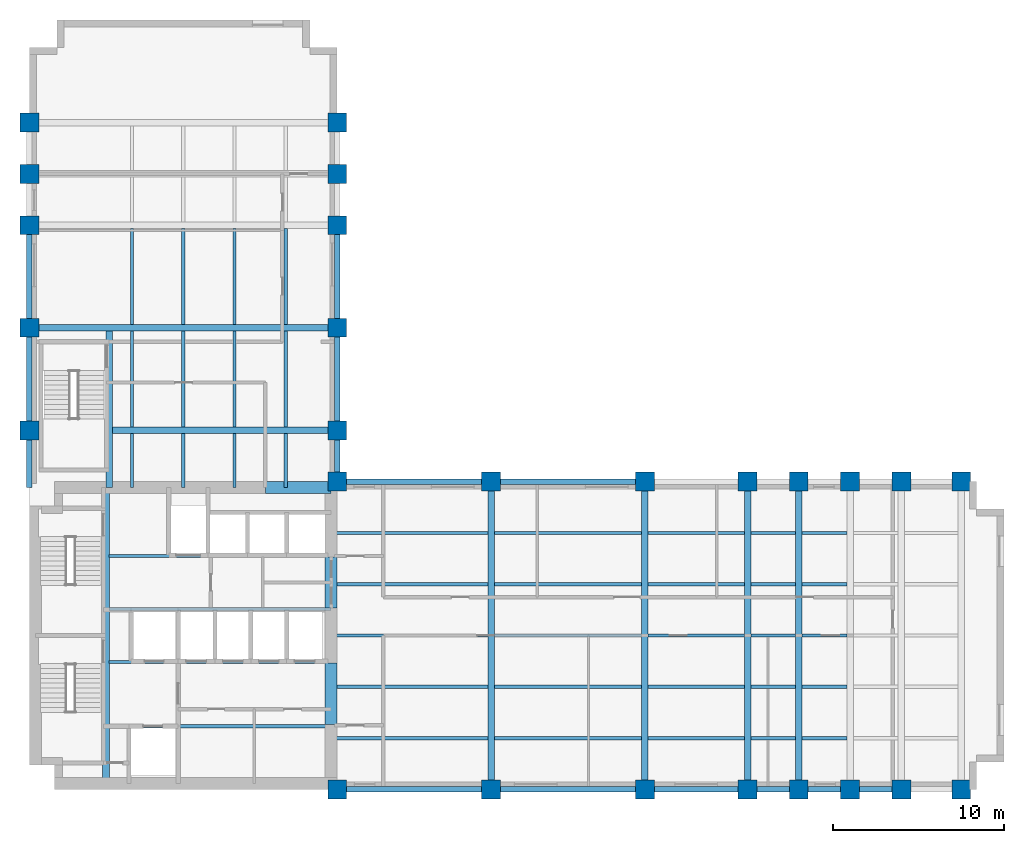
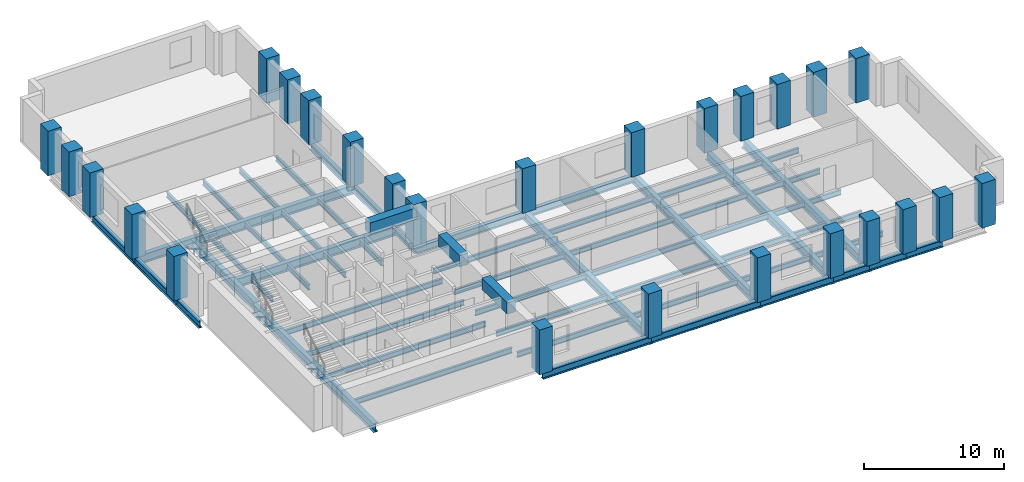
# One storey, part 1 of 7: 66 beams, 26 columns.
"""IFC4 building model written with IfcOpenShell, lengths in metres."""

import ifcopenshell
import ifcopenshell.guid

model = None  # the IFC model being written
_history = None  # IfcOwnerHistory: only IFC2X3 demands one
_inside = {}  # id of a spatial element -> (the spatial element, [elements in it])
_under = {}  # id of a project, library or spatial element -> (it, [spatial elements below it])
_declared = {}  # id of a project -> (the project, [libraries it declares])
_typed = {}  # id of a type object -> (the type object, [elements of that type])
_made_of = {}  # id of a material, layer set ... -> (it, [elements and type objects made of it])


def new_model(schema):
    """Start an empty IFC model of exactly this schema.

    Asked for "IFC4X3", IfcOpenShell would pick the latest addendum, in which some entities
    have other attributes; the version numbers below select the first issue.
    IFC2X3 requires an IfcOwnerHistory on every rooted entity: one is made here for all.
    """
    global model, _history
    if schema == "IFC4X3":
        model = ifcopenshell.file(schema_version=(4, 3, 0, 0))
    else:
        model = ifcopenshell.file(schema=schema)
    _inside.clear()
    _under.clear()
    _declared.clear()
    _typed.clear()
    _made_of.clear()
    _history = None
    if model.schema == "IFC2X3":
        org = make("IfcOrganization", Name="unknown")
        user = make(
            "IfcPersonAndOrganization",
            ThePerson=make("IfcPerson", FamilyName="unknown"),
            TheOrganization=org,
        )
        app = make(
            "IfcApplication",
            ApplicationDeveloper=org,
            Version="unknown",
            ApplicationFullName="unknown",
            ApplicationIdentifier="unknown",
        )
        _history = make(
            "IfcOwnerHistory",
            OwningUser=user,
            OwningApplication=app,
            ChangeAction="ADDED",
            CreationDate=0,
        )
    return model


def make(cls, **values):
    """One entity of the class cls with the attributes given. An attribute that is None is left unset."""
    return model.create_entity(
        cls, **{name: value for name, value in values.items() if value is not None}
    )


def rooted(cls, **values):
    """An entity with a GlobalId (a new one), such as an element, a storey or a relation."""
    return make(cls, GlobalId=ifcopenshell.guid.new(), OwnerHistory=_history, **values)


def si_unit(unit_type, name, prefix=None):
    """IfcSIUnit, for example si_unit("LENGTHUNIT", "METRE", prefix="MILLI")."""
    return make("IfcSIUnit", UnitType=unit_type, Prefix=prefix, Name=name)


def assignment(units):
    """IfcUnitAssignment: the units of a project."""
    return None if units is None else make("IfcUnitAssignment", Units=units)


def point(xyz):
    """IfcCartesianPoint."""
    return None if xyz is None else make("IfcCartesianPoint", Coordinates=xyz)


def direction(xyz):
    """IfcDirection."""
    return None if xyz is None else make("IfcDirection", DirectionRatios=xyz)


def frame(location, z_axis=None, x_axis=None):
    """IfcAxis2Placement3D, a coordinate frame: its origin and axes. An axis left out is left unset."""
    return make(
        "IfcAxis2Placement3D",
        Location=point(location),
        Axis=direction(z_axis),
        RefDirection=direction(x_axis),
    )


def frame_2d(location, x_axis=None):
    """IfcAxis2Placement2D, a coordinate frame in the plane: its origin and x axis."""
    return make(
        "IfcAxis2Placement2D", Location=point(location), RefDirection=direction(x_axis)
    )


def origin():
    """The frame at (0, 0, 0) with its axes left unset."""
    return frame((0.0, 0.0, 0.0))


def origin_2d():
    """The frame at (0, 0) in the plane with its x axis left unset."""
    return frame_2d((0.0, 0.0))


def place(relative_to, where):
    """IfcLocalPlacement: puts the frame where relative to a parent placement (None: the world)."""
    return make(
        "IfcLocalPlacement", PlacementRelTo=relative_to, RelativePlacement=where
    )


def context(
    kind, dimensions, precision=None, world=None, true_north=None, identifier=None
):
    """IfcGeometricRepresentationContext, for example the 3D "Model" context."""
    return make(
        "IfcGeometricRepresentationContext",
        ContextIdentifier=identifier,
        ContextType=kind,
        CoordinateSpaceDimension=dimensions,
        Precision=precision,
        WorldCoordinateSystem=world,
        TrueNorth=true_north,
    )


def subcontext(parent, identifier, kind, view, scale=None):
    """IfcGeometricRepresentationSubContext, for example "Body" below "Model"."""
    return make(
        "IfcGeometricRepresentationSubContext",
        ContextIdentifier=identifier,
        ContextType=kind,
        ParentContext=parent,
        TargetScale=scale,
        TargetView=view,
    )


def project(units=None, contexts=None):
    """IfcProject with its units and contexts."""
    return rooted(
        "IfcProject",
        Name="project",
        RepresentationContexts=contexts,
        UnitsInContext=assignment(units),
    )


def spatial(cls, under=None, at=None, **own):
    """A site, building, storey or space (cls), placed at a placement, below another one or the project."""
    s = rooted(cls, ObjectPlacement=at, **own)
    if under is not None:
        _under.setdefault(under.id(), (under, []))[1].append(s)
    return s


def profile(cls, at=None, kind="AREA", **sizes):
    """A parametric profile (cls). Its sizes go by their IFC names, for example OverallWidth=200.0."""
    return make(cls, ProfileType=kind, Position=at, **sizes)


def rectangle(**sizes):
    """IfcRectangleProfileDef."""
    return profile("IfcRectangleProfileDef", **sizes)


def i_section(**sizes):
    """IfcIShapeProfileDef."""
    return profile("IfcIShapeProfileDef", **sizes)


def extrude(swept, where, along, depth):
    """IfcExtrudedAreaSolid: the profile swept, set in the frame where, extruded along a direction by depth."""
    return make(
        "IfcExtrudedAreaSolid",
        SweptArea=swept,
        Position=where,
        ExtrudedDirection=direction(along),
        Depth=depth,
    )


def shape(context_of_items, identifier, shape_type, items):
    """IfcShapeRepresentation: the items that make up one representation, for example the "Body"."""
    return make(
        "IfcShapeRepresentation",
        ContextOfItems=context_of_items,
        RepresentationIdentifier=identifier,
        RepresentationType=shape_type,
        Items=items,
    )


def material(Name=None, Category=None):
    """IfcMaterial."""
    return make("IfcMaterial", Name=Name, Category=Category)


def material_profile(
    of_material, cross_section, Name=None, Category=None, Priority=None
):
    """IfcMaterialProfile: a cross section and its material."""
    return make(
        "IfcMaterialProfile",
        Name=Name,
        Material=of_material,
        Profile=cross_section,
        Priority=Priority,
        Category=Category,
    )


def profile_set(profiles, Name=None, composite=None):
    """IfcMaterialProfileSet."""
    return make(
        "IfcMaterialProfileSet",
        Name=Name,
        MaterialProfiles=profiles,
        CompositeProfile=composite,
    )


def made_of(thing, what):
    """Note that an element or type object is made of a material, layer set ...; save() writes the relation."""
    if what is not None:
        _made_of.setdefault(what.id(), (what, []))[1].append(thing)
    return thing


def type_object(cls, material=None, **own):
    """A type object (cls), such as IfcWallType, which elements share."""
    return made_of(rooted(cls, **own), material)


def element(
    cls,
    number,
    at=None,
    inside=None,
    cuts=None,
    type_object=None,
    material=None,
    context=None,
    identifier="Body",
    shape_type=None,
    held_by="IfcProductDefinitionShape",
    body=None,
    shapes=None,
    **own,
):
    """One element of the class cls, such as IfcWall. Its Tag is "e" and its number.

    at: its placement. inside: the storey or other place that contains it. cuts: it is an
    opening in that element (IfcRelVoidsElement). A single representation is given by context,
    identifier, shape_type and body (its items); several are given by shapes. held_by: the class
    of the entity that holds the representations. save() writes the other relations.
    """
    e = rooted(cls, Tag="e%d" % number, ObjectPlacement=at, **own)
    if body is not None:
        shapes = [shape(context, identifier, shape_type, body)]
    if shapes is not None:
        e.Representation = make(held_by, Representations=shapes)
    if inside is not None:
        _inside.setdefault(inside.id(), (inside, []))[1].append(e)
    if cuts is not None:
        rooted(
            "IfcRelVoidsElement", RelatingBuildingElement=cuts, RelatedOpeningElement=e
        )
    if type_object is not None:
        _typed.setdefault(type_object.id(), (type_object, []))[1].append(e)
    return made_of(e, material)


def aggregate(whole, parts):
    """IfcRelAggregates: a whole, such as a stair, and the parts it consists of."""
    return rooted("IfcRelAggregates", RelatingObject=whole, RelatedObjects=parts)


def save(model, path):
    """Write the relations noted so far, then the file.

    IfcRelAggregates (storeys below a building ...), IfcRelContainedInSpatialStructure (elements
    in a storey), IfcRelDefinesByType, IfcRelAssociatesMaterial and IfcRelDeclares: one each for
    every whole, place, type object, material and project.
    """
    for whole, parts in _under.values():
        aggregate(whole, parts)
    for where, things in _inside.values():
        rooted(
            "IfcRelContainedInSpatialStructure",
            RelatedElements=things,
            RelatingStructure=where,
        )
    for kind, things in _typed.values():
        rooted("IfcRelDefinesByType", RelatedObjects=things, RelatingType=kind)
    for what, things in _made_of.values():
        rooted("IfcRelAssociatesMaterial", RelatedObjects=things, RelatingMaterial=what)
    for by, libraries in _declared.values():
        rooted("IfcRelDeclares", RelatingContext=by, RelatedDefinitions=libraries)
    model.write(path)


model = new_model("IFC4")

# Units and contexts
model_context = context("Model", 3, precision=1e-05, world=origin(), true_north=direction((0.0, 1.0)))
body_context = subcontext(model_context, "Body", "Model", "MODEL_VIEW")
ifc_project = project(units=[si_unit("LENGTHUNIT", "METRE"), si_unit("AREAUNIT", "SQUARE_METRE"), si_unit("VOLUMEUNIT", "CUBIC_METRE"), si_unit("PLANEANGLEUNIT", "RADIAN"), si_unit("MASSUNIT", "GRAM", prefix="KILO")], contexts=[model_context])

# Site, building, storey
site_placement = place(None, origin())
site = spatial("IfcSite", under=ifc_project, at=site_placement, CompositionType="ELEMENT")
building_placement = place(site_placement, origin())
building = spatial("IfcBuilding", under=site, at=building_placement, Name="Mawjdan Bourse Tower", CompositionType="ELEMENT")
storey_placement = place(building_placement, frame((0.0, 0.0, 116.699951171875)))
storey = spatial("IfcBuildingStorey", under=building, at=storey_placement, Name="L27", CompositionType="ELEMENT", Elevation=116.699951171875)

# Columns
ifc_material_1 = material(Name="Concrete C70/85", Category="concrete")
ifc_material_profile_1 = material_profile(ifc_material_1, rectangle(XDim=1.10009765625, YDim=1.10009765625, at=origin_2d()), Name="RC1100X1100")
ifc_profile_set_1 = profile_set([ifc_material_profile_1], Name="Concrete C70/85")
column_type = type_object("IfcColumnType", Name="COL-RC1100X1100", PredefinedType="COLUMN", material=ifc_profile_set_1)
for number, where, z_axis, x_axis, name in (
    (1, (24.0, 3.0, 0.0), (0.0, 0.0, 1.0), (1.0, 0.0, 0.0), "L27 Structural Column C-X240-Y30"),
    (2, (24.0, 21.0, 0.0), (0.0, 0.0, 1.0), (1.0, 0.0, 0.0), "L27 Structural Column C-X240-Y210"),
    (3, (33.0, 3.0, 0.0), (0.0, 0.0, 1.0), (1.0, 0.0, 0.0), "L27 Structural Column C-X330-Y30"),
    (4, (33.0, 21.0, 0.0), (0.0, 0.0, 1.0), (1.0, 0.0, 0.0), "L27 Structural Column C-X330-Y210"),
    (5, (42.0, 3.0, 0.0), (0.0, 0.0, 1.0), (1.0, 0.0, 0.0), "L27 Structural Column C-X420-Y30"),
    (6, (42.0, 21.0, 0.0), (0.0, 0.0, 1.0), (1.0, 0.0, 0.0), "L27 Structural Column C-X420-Y210"),
    (7, (48.0, 3.0, 0.0), (0.0, 0.0, 1.0), (1.0, 0.0, 0.0), "L27 Structural Column C-X480-Y30"),
    (8, (48.0, 21.0, 0.0), (0.0, 0.0, 1.0), (1.0, 0.0, 0.0), "L27 Structural Column C-X480-Y210"),
    (9, (51.0, 3.0, 0.0), (0.0, 0.0, 1.0), (1.0, 0.0, 0.0), "L27 Structural Column C-X510-Y30"),
    (10, (51.0, 21.0, 0.0), (0.0, 0.0, 1.0), (1.0, 0.0, 0.0), "L27 Structural Column C-X510-Y210"),
    (11, (54.0, 3.0, 0.0), (0.0, 0.0, 1.0), (1.0, 0.0, 0.0), "L27 Structural Column C-X540-Y30"),
    (12, (54.0, 21.0, 0.0), (0.0, 0.0, 1.0), (1.0, 0.0, 0.0), "L27 Structural Column C-X540-Y210"),
    (13, (57.0, 3.0, 0.0), (0.0, 0.0, 1.0), (1.0, 0.0, 0.0), "L27 Structural Column C-X570-Y30"),
    (14, (57.0, 21.0, 0.0), (0.0, 0.0, 1.0), (1.0, 0.0, 0.0), "L27 Structural Column C-X570-Y210"),
    (15, (60.5, 3.0, 0.0), (0.0, 0.0, 1.0), (1.0, 0.0, 0.0), "L27 Structural Column C-X605-Y30"),
    (16, (60.5, 21.0, 0.0), (0.0, 0.0, 1.0), (1.0, 0.0, 0.0), "L27 Structural Column C-X605-Y210"),
    (17, (6.0, 24.0, 0.0), (0.0, 0.0, 1.0), (1.0, 0.0, 0.0), "L27 Structural Column C-X60-Y240"),
    (18, (24.0, 24.0, 0.0), (0.0, 0.0, 1.0), (1.0, 0.0, 0.0), "L27 Structural Column C-X240-Y240"),
    (19, (6.0, 30.0, 0.0), (0.0, 0.0, 1.0), (1.0, 0.0, 0.0), "L27 Structural Column C-X60-Y300"),
    (20, (24.0, 30.0, 0.0), (0.0, 0.0, 1.0), (1.0, 0.0, 0.0), "L27 Structural Column C-X240-Y300"),
    (21, (6.0, 36.0, 0.0), (0.0, 0.0, 1.0), (1.0, 0.0, 0.0), "L27 Structural Column C-X60-Y360"),
    (22, (24.0, 36.0, 0.0), (0.0, 0.0, 1.0), (1.0, 0.0, 0.0), "L27 Structural Column C-X240-Y360"),
    (23, (6.0, 39.0, 0.0), (0.0, 0.0, 1.0), (1.0, 0.0, 0.0), "L27 Structural Column C-X60-Y390"),
    (24, (24.0, 39.0, 0.0), (0.0, 0.0, 1.0), (1.0, 0.0, 0.0), "L27 Structural Column C-X240-Y390"),
    (25, (6.0, 42.0, 0.0), (0.0, 0.0, 1.0), (1.0, 0.0, 0.0), "L27 Structural Column C-X60-Y420"),
    (26, (24.0, 42.0, 0.0), (0.0, 0.0, 1.0), (1.0, 0.0, 0.0), "L27 Structural Column C-X240-Y420"),
):
    element("IfcColumn", number, at=place(storey_placement, frame(where, z_axis=z_axis, x_axis=x_axis)), inside=storey, type_object=column_type, Name=name, PredefinedType="COLUMN", context=body_context, shape_type="SweptSolid", body=[
        extrude(rectangle(XDim=1.10009765625, YDim=1.10009765625, at=origin_2d()), origin(), (0.0, 0.0, 1.0), 3.900146484375),
    ])

# Beams
ifc_material_2 = material(Name="Structural Steel S355", Category="steel")
ifc_material_profile_2 = material_profile(ifc_material_2, i_section(OverallWidth=0.381103515625, OverallDepth=0.77294921875, WebThickness=0.0166015625, FlangeThickness=0.027099609375, FilletRadius=0.021728515625, at=origin_2d()), Name="W30X173")
ifc_profile_set_2 = profile_set([ifc_material_profile_2], Name="Structural Steel S355")
beam_type_1 = type_object("IfcBeamType", Name="GRD-W30X173", PredefinedType="BEAM", material=ifc_profile_set_2)
beam_1_placement = place(storey_placement, frame((10.47998046875, 3.35009765625, -0.58642578125), z_axis=(0.0, 1.0, 0.0), x_axis=(-1.0, 0.0, 0.0)))
element("IfcBeam", 27, at=beam_1_placement, inside=storey, type_object=beam_type_1, Name="L27 Core Stair Trimmer Girder 001", PredefinedType="BEAM", context=body_context, shape_type="SweptSolid", body=[
    extrude(i_section(OverallWidth=0.381103515625, OverallDepth=0.77294921875, WebThickness=0.0166015625, FlangeThickness=0.027099609375, FilletRadius=0.021728515625, at=origin_2d()), origin(), (0.0, 0.0, 1.0), 17.2998046875),
])
for number, where, z_axis, x_axis, name in (
    (28, (33.0, 3.0, -0.58642578125), (0.0, 1.0, 0.0), (-1.0, 0.0, 0.0), "L27 East Wing Clear-Span Girder 002"),
    (29, (42.0, 3.0, -0.58642578125), (0.0, 1.0, 0.0), (-1.0, 0.0, 0.0), "L27 East Wing Clear-Span Girder 003"),
    (30, (48.0, 3.0, -0.58642578125), (0.0, 1.0, 0.0), (-1.0, 0.0, 0.0), "L27 East Wing Clear-Span Girder 004"),
    (31, (51.0, 3.0, -0.58642578125), (0.0, 1.0, 0.0), (-1.0, 0.0, 0.0), "L27 East Wing Clear-Span Girder 005"),
):
    element("IfcBeam", number, at=place(storey_placement, frame(where, z_axis=z_axis, x_axis=x_axis)), inside=storey, type_object=beam_type_1, Name=name, PredefinedType="BEAM", context=body_context, shape_type="SweptSolid", body=[
        extrude(i_section(OverallWidth=0.381103515625, OverallDepth=0.77294921875, WebThickness=0.0166015625, FlangeThickness=0.027099609375, FilletRadius=0.021728515625, at=origin_2d()), origin(), (0.0, 0.0, 1.0), 18.0),
    ])
beam_2_placement = place(storey_placement, frame((10.679931640625, 20.64990234375, -0.58642578125), z_axis=(0.0, 1.0, 0.0), x_axis=(-1.0, 0.0, 0.0)))
element("IfcBeam", 32, at=beam_2_placement, inside=storey, type_object=beam_type_1, Name="L27 North Wing Stair Trimmer Girder 062", PredefinedType="BEAM", context=body_context, shape_type="SweptSolid", body=[
    extrude(i_section(OverallWidth=0.381103515625, OverallDepth=0.77294921875, WebThickness=0.0166015625, FlangeThickness=0.027099609375, FilletRadius=0.021728515625, at=origin_2d()), origin(), (0.0, 0.0, 1.0), 9.16162109375),
])
beam_3_placement = place(storey_placement, frame((10.868408203125, 24.0, -0.58642578125), z_axis=(1.0, 0.0, 0.0), x_axis=(0.0, 1.0, 0.0)))
element("IfcBeam", 33, at=beam_3_placement, inside=storey, type_object=beam_type_1, Name="L27 North Wing Clear-Span Girder 063", PredefinedType="BEAM", context=body_context, shape_type="SweptSolid", body=[
    extrude(i_section(OverallWidth=0.381103515625, OverallDepth=0.77294921875, WebThickness=0.0166015625, FlangeThickness=0.027099609375, FilletRadius=0.021728515625, at=origin_2d()), origin(), (0.0, 0.0, 1.0), 13.131591796875),
])
beam_4_placement = place(storey_placement, frame((6.0, 30.0, -0.58642578125), z_axis=(1.0, 0.0, 0.0), x_axis=(0.0, 1.0, 0.0)))
element("IfcBeam", 34, at=beam_4_placement, inside=storey, type_object=beam_type_1, Name="L27 North Wing Clear-Span Girder 064", PredefinedType="BEAM", context=body_context, shape_type="SweptSolid", body=[
    extrude(i_section(OverallWidth=0.381103515625, OverallDepth=0.77294921875, WebThickness=0.0166015625, FlangeThickness=0.027099609375, FilletRadius=0.021728515625, at=origin_2d()), origin(), (0.0, 0.0, 1.0), 18.0),
])
ifc_material_profile_3 = material_profile(ifc_material_2, i_section(OverallWidth=0.19189453125, OverallDepth=0.462890625, WebThickness=0.010498046875, FlangeThickness=0.017578125, FilletRadius=0.01416015625, at=origin_2d()), Name="W18X60")
ifc_profile_set_3 = profile_set([ifc_material_profile_3], Name="Structural Steel S355")
beam_type_2 = type_object("IfcBeamType", Name="JST-W18X60", PredefinedType="JOIST", material=ifc_profile_set_3)
beam_5_placement = place(storey_placement, frame((23.64990234375, 6.0, -0.431396484375), z_axis=(1.0, 0.0, 0.0), x_axis=(0.0, 1.0, 0.0)))
element("IfcBeam", 35, at=beam_5_placement, inside=storey, type_object=beam_type_2, Name="L27 East Wing Composite Joist 023", PredefinedType="JOIST", context=body_context, shape_type="SweptSolid", body=[
    extrude(i_section(OverallWidth=0.19189453125, OverallDepth=0.462890625, WebThickness=0.010498046875, FlangeThickness=0.017578125, FilletRadius=0.01416015625, at=origin_2d()), origin(), (0.0, 0.0, 1.0), 9.16162109375),
])
beam_6_placement = place(storey_placement, frame((33.1884765625, 6.0, -0.431396484375), z_axis=(1.0, 0.0, 0.0), x_axis=(0.0, 1.0, 0.0)))
element("IfcBeam", 36, at=beam_6_placement, inside=storey, type_object=beam_type_2, Name="L27 East Wing Composite Joist 024", PredefinedType="JOIST", context=body_context, shape_type="SweptSolid", body=[
    extrude(i_section(OverallWidth=0.19189453125, OverallDepth=0.462890625, WebThickness=0.010498046875, FlangeThickness=0.017578125, FilletRadius=0.01416015625, at=origin_2d()), origin(), (0.0, 0.0, 1.0), 8.623046875),
])
beam_7_placement = place(storey_placement, frame((42.1884765625, 6.0, -0.431396484375), z_axis=(1.0, 0.0, 0.0), x_axis=(0.0, 1.0, 0.0)))
element("IfcBeam", 37, at=beam_7_placement, inside=storey, type_object=beam_type_2, Name="L27 East Wing Composite Joist 025", PredefinedType="JOIST", context=body_context, shape_type="SweptSolid", body=[
    extrude(i_section(OverallWidth=0.19189453125, OverallDepth=0.462890625, WebThickness=0.010498046875, FlangeThickness=0.017578125, FilletRadius=0.01416015625, at=origin_2d()), origin(), (0.0, 0.0, 1.0), 5.623046875),
])
for number, where, z_axis, x_axis, name in (
    (38, (48.1884765625, 6.0, -0.431396484375), (1.0, 0.0, 0.0), (0.0, 1.0, 0.0), "L27 East Wing Composite Joist 026"),
    (39, (51.1884765625, 6.0, -0.431396484375), (1.0, 0.0, 0.0), (0.0, 1.0, 0.0), "L27 East Wing Composite Joist 027"),
):
    element("IfcBeam", number, at=place(storey_placement, frame(where, z_axis=z_axis, x_axis=x_axis)), inside=storey, type_object=beam_type_2, Name=name, PredefinedType="JOIST", context=body_context, shape_type="SweptSolid", body=[
        extrude(i_section(OverallWidth=0.19189453125, OverallDepth=0.462890625, WebThickness=0.010498046875, FlangeThickness=0.017578125, FilletRadius=0.01416015625, at=origin_2d()), origin(), (0.0, 0.0, 1.0), 2.623046875),
    ])
beam_8_placement = place(storey_placement, frame((23.64990234375, 9.0, -0.431396484375), z_axis=(1.0, 0.0, 0.0), x_axis=(0.0, 1.0, 0.0)))
element("IfcBeam", 40, at=beam_8_placement, inside=storey, type_object=beam_type_2, Name="L27 East Wing Composite Joist 030", PredefinedType="JOIST", context=body_context, shape_type="SweptSolid", body=[
    extrude(i_section(OverallWidth=0.19189453125, OverallDepth=0.462890625, WebThickness=0.010498046875, FlangeThickness=0.017578125, FilletRadius=0.01416015625, at=origin_2d()), origin(), (0.0, 0.0, 1.0), 9.16162109375),
])
beam_9_placement = place(storey_placement, frame((33.1884765625, 9.0, -0.431396484375), z_axis=(1.0, 0.0, 0.0), x_axis=(0.0, 1.0, 0.0)))
element("IfcBeam", 41, at=beam_9_placement, inside=storey, type_object=beam_type_2, Name="L27 East Wing Composite Joist 031", PredefinedType="JOIST", context=body_context, shape_type="SweptSolid", body=[
    extrude(i_section(OverallWidth=0.19189453125, OverallDepth=0.462890625, WebThickness=0.010498046875, FlangeThickness=0.017578125, FilletRadius=0.01416015625, at=origin_2d()), origin(), (0.0, 0.0, 1.0), 8.623046875),
])
beam_10_placement = place(storey_placement, frame((42.1884765625, 9.0, -0.431396484375), z_axis=(1.0, 0.0, 0.0), x_axis=(0.0, 1.0, 0.0)))
element("IfcBeam", 42, at=beam_10_placement, inside=storey, type_object=beam_type_2, Name="L27 East Wing Composite Joist 032", PredefinedType="JOIST", context=body_context, shape_type="SweptSolid", body=[
    extrude(i_section(OverallWidth=0.19189453125, OverallDepth=0.462890625, WebThickness=0.010498046875, FlangeThickness=0.017578125, FilletRadius=0.01416015625, at=origin_2d()), origin(), (0.0, 0.0, 1.0), 5.623046875),
])
for number, where, z_axis, x_axis, name in (
    (43, (48.1884765625, 9.0, -0.431396484375), (1.0, 0.0, 0.0), (0.0, 1.0, 0.0), "L27 East Wing Composite Joist 033"),
    (44, (51.1884765625, 9.0, -0.431396484375), (1.0, 0.0, 0.0), (0.0, 1.0, 0.0), "L27 East Wing Composite Joist 034"),
):
    element("IfcBeam", number, at=place(storey_placement, frame(where, z_axis=z_axis, x_axis=x_axis)), inside=storey, type_object=beam_type_2, Name=name, PredefinedType="JOIST", context=body_context, shape_type="SweptSolid", body=[
        extrude(i_section(OverallWidth=0.19189453125, OverallDepth=0.462890625, WebThickness=0.010498046875, FlangeThickness=0.017578125, FilletRadius=0.01416015625, at=origin_2d()), origin(), (0.0, 0.0, 1.0), 2.623046875),
    ])
beam_11_placement = place(storey_placement, frame((23.64990234375, 12.0, -0.431396484375), z_axis=(1.0, 0.0, 0.0), x_axis=(0.0, 1.0, 0.0)))
element("IfcBeam", 45, at=beam_11_placement, inside=storey, type_object=beam_type_2, Name="L27 East Wing Composite Joist 037", PredefinedType="JOIST", context=body_context, shape_type="SweptSolid", body=[
    extrude(i_section(OverallWidth=0.19189453125, OverallDepth=0.462890625, WebThickness=0.010498046875, FlangeThickness=0.017578125, FilletRadius=0.01416015625, at=origin_2d()), origin(), (0.0, 0.0, 1.0), 9.16162109375),
])
beam_12_placement = place(storey_placement, frame((33.1884765625, 12.0, -0.431396484375), z_axis=(1.0, 0.0, 0.0), x_axis=(0.0, 1.0, 0.0)))
element("IfcBeam", 46, at=beam_12_placement, inside=storey, type_object=beam_type_2, Name="L27 East Wing Composite Joist 038", PredefinedType="JOIST", context=body_context, shape_type="SweptSolid", body=[
    extrude(i_section(OverallWidth=0.19189453125, OverallDepth=0.462890625, WebThickness=0.010498046875, FlangeThickness=0.017578125, FilletRadius=0.01416015625, at=origin_2d()), origin(), (0.0, 0.0, 1.0), 8.623046875),
])
beam_13_placement = place(storey_placement, frame((42.1884765625, 12.0, -0.431396484375), z_axis=(1.0, 0.0, 0.0), x_axis=(0.0, 1.0, 0.0)))
element("IfcBeam", 47, at=beam_13_placement, inside=storey, type_object=beam_type_2, Name="L27 East Wing Composite Joist 039", PredefinedType="JOIST", context=body_context, shape_type="SweptSolid", body=[
    extrude(i_section(OverallWidth=0.19189453125, OverallDepth=0.462890625, WebThickness=0.010498046875, FlangeThickness=0.017578125, FilletRadius=0.01416015625, at=origin_2d()), origin(), (0.0, 0.0, 1.0), 5.623046875),
])
for number, where, z_axis, x_axis, name in (
    (48, (48.1884765625, 12.0, -0.431396484375), (1.0, 0.0, 0.0), (0.0, 1.0, 0.0), "L27 East Wing Composite Joist 040"),
    (49, (51.1884765625, 12.0, -0.431396484375), (1.0, 0.0, 0.0), (0.0, 1.0, 0.0), "L27 East Wing Composite Joist 041"),
):
    element("IfcBeam", number, at=place(storey_placement, frame(where, z_axis=z_axis, x_axis=x_axis)), inside=storey, type_object=beam_type_2, Name=name, PredefinedType="JOIST", context=body_context, shape_type="SweptSolid", body=[
        extrude(i_section(OverallWidth=0.19189453125, OverallDepth=0.462890625, WebThickness=0.010498046875, FlangeThickness=0.017578125, FilletRadius=0.01416015625, at=origin_2d()), origin(), (0.0, 0.0, 1.0), 2.623046875),
    ])
beam_14_placement = place(storey_placement, frame((23.64990234375, 15.0, -0.431396484375), z_axis=(1.0, 0.0, 0.0), x_axis=(0.0, 1.0, 0.0)))
element("IfcBeam", 50, at=beam_14_placement, inside=storey, type_object=beam_type_2, Name="L27 East Wing Composite Joist 044", PredefinedType="JOIST", context=body_context, shape_type="SweptSolid", body=[
    extrude(i_section(OverallWidth=0.19189453125, OverallDepth=0.462890625, WebThickness=0.010498046875, FlangeThickness=0.017578125, FilletRadius=0.01416015625, at=origin_2d()), origin(), (0.0, 0.0, 1.0), 9.16162109375),
])
beam_15_placement = place(storey_placement, frame((33.1884765625, 15.0, -0.431396484375), z_axis=(1.0, 0.0, 0.0), x_axis=(0.0, 1.0, 0.0)))
element("IfcBeam", 51, at=beam_15_placement, inside=storey, type_object=beam_type_2, Name="L27 East Wing Composite Joist 045", PredefinedType="JOIST", context=body_context, shape_type="SweptSolid", body=[
    extrude(i_section(OverallWidth=0.19189453125, OverallDepth=0.462890625, WebThickness=0.010498046875, FlangeThickness=0.017578125, FilletRadius=0.01416015625, at=origin_2d()), origin(), (0.0, 0.0, 1.0), 8.623046875),
])
beam_16_placement = place(storey_placement, frame((42.1884765625, 15.0, -0.431396484375), z_axis=(1.0, 0.0, 0.0), x_axis=(0.0, 1.0, 0.0)))
element("IfcBeam", 52, at=beam_16_placement, inside=storey, type_object=beam_type_2, Name="L27 East Wing Composite Joist 046", PredefinedType="JOIST", context=body_context, shape_type="SweptSolid", body=[
    extrude(i_section(OverallWidth=0.19189453125, OverallDepth=0.462890625, WebThickness=0.010498046875, FlangeThickness=0.017578125, FilletRadius=0.01416015625, at=origin_2d()), origin(), (0.0, 0.0, 1.0), 5.623046875),
])
for number, where, z_axis, x_axis, name in (
    (53, (48.1884765625, 15.0, -0.431396484375), (1.0, 0.0, 0.0), (0.0, 1.0, 0.0), "L27 East Wing Composite Joist 047"),
    (54, (51.1884765625, 15.0, -0.431396484375), (1.0, 0.0, 0.0), (0.0, 1.0, 0.0), "L27 East Wing Composite Joist 048"),
):
    element("IfcBeam", number, at=place(storey_placement, frame(where, z_axis=z_axis, x_axis=x_axis)), inside=storey, type_object=beam_type_2, Name=name, PredefinedType="JOIST", context=body_context, shape_type="SweptSolid", body=[
        extrude(i_section(OverallWidth=0.19189453125, OverallDepth=0.462890625, WebThickness=0.010498046875, FlangeThickness=0.017578125, FilletRadius=0.01416015625, at=origin_2d()), origin(), (0.0, 0.0, 1.0), 2.623046875),
    ])
beam_17_placement = place(storey_placement, frame((23.64990234375, 18.0, -0.431396484375), z_axis=(1.0, 0.0, 0.0), x_axis=(0.0, 1.0, 0.0)))
element("IfcBeam", 55, at=beam_17_placement, inside=storey, type_object=beam_type_2, Name="L27 East Wing Composite Joist 051", PredefinedType="JOIST", context=body_context, shape_type="SweptSolid", body=[
    extrude(i_section(OverallWidth=0.19189453125, OverallDepth=0.462890625, WebThickness=0.010498046875, FlangeThickness=0.017578125, FilletRadius=0.01416015625, at=origin_2d()), origin(), (0.0, 0.0, 1.0), 9.16162109375),
])
beam_18_placement = place(storey_placement, frame((33.1884765625, 18.0, -0.431396484375), z_axis=(1.0, 0.0, 0.0), x_axis=(0.0, 1.0, 0.0)))
element("IfcBeam", 56, at=beam_18_placement, inside=storey, type_object=beam_type_2, Name="L27 East Wing Composite Joist 052", PredefinedType="JOIST", context=body_context, shape_type="SweptSolid", body=[
    extrude(i_section(OverallWidth=0.19189453125, OverallDepth=0.462890625, WebThickness=0.010498046875, FlangeThickness=0.017578125, FilletRadius=0.01416015625, at=origin_2d()), origin(), (0.0, 0.0, 1.0), 8.623046875),
])
beam_19_placement = place(storey_placement, frame((42.1884765625, 18.0, -0.431396484375), z_axis=(1.0, 0.0, 0.0), x_axis=(0.0, 1.0, 0.0)))
element("IfcBeam", 57, at=beam_19_placement, inside=storey, type_object=beam_type_2, Name="L27 East Wing Composite Joist 053", PredefinedType="JOIST", context=body_context, shape_type="SweptSolid", body=[
    extrude(i_section(OverallWidth=0.19189453125, OverallDepth=0.462890625, WebThickness=0.010498046875, FlangeThickness=0.017578125, FilletRadius=0.01416015625, at=origin_2d()), origin(), (0.0, 0.0, 1.0), 5.623046875),
])
for number, where, z_axis, x_axis, name in (
    (58, (48.1884765625, 18.0, -0.431396484375), (1.0, 0.0, 0.0), (0.0, 1.0, 0.0), "L27 East Wing Composite Joist 054"),
    (59, (51.1884765625, 18.0, -0.431396484375), (1.0, 0.0, 0.0), (0.0, 1.0, 0.0), "L27 East Wing Composite Joist 055"),
):
    element("IfcBeam", number, at=place(storey_placement, frame(where, z_axis=z_axis, x_axis=x_axis)), inside=storey, type_object=beam_type_2, Name=name, PredefinedType="JOIST", context=body_context, shape_type="SweptSolid", body=[
        extrude(i_section(OverallWidth=0.19189453125, OverallDepth=0.462890625, WebThickness=0.010498046875, FlangeThickness=0.017578125, FilletRadius=0.01416015625, at=origin_2d()), origin(), (0.0, 0.0, 1.0), 2.623046875),
    ])
for number, where, z_axis, x_axis, name in (
    (60, (10.66845703125, 6.699951171875, -0.431396484375), (1.0, 0.0, 0.0), (0.0, 1.0, 0.0), "L27 Core Floor Joist 058"),
    (61, (10.66845703125, 10.449951171875, -0.431396484375), (1.0, 0.0, 0.0), (0.0, 1.0, 0.0), "L27 Core Floor Joist 059"),
    (62, (10.66845703125, 13.550048828125, -0.431396484375), (1.0, 0.0, 0.0), (0.0, 1.0, 0.0), "L27 Core Floor Joist 060"),
    (63, (10.66845703125, 16.64990234375, -0.431396484375), (1.0, 0.0, 0.0), (0.0, 1.0, 0.0), "L27 Core Floor Joist 061"),
):
    element("IfcBeam", number, at=place(storey_placement, frame(where, z_axis=z_axis, x_axis=x_axis)), inside=storey, type_object=beam_type_2, Name=name, PredefinedType="JOIST", context=body_context, shape_type="SweptSolid", body=[
        extrude(i_section(OverallWidth=0.19189453125, OverallDepth=0.462890625, WebThickness=0.010498046875, FlangeThickness=0.017578125, FilletRadius=0.01416015625, at=origin_2d()), origin(), (0.0, 0.0, 1.0), 12.9814453125),
    ])
beam_20_placement = place(storey_placement, frame((12.0, 20.64990234375, -0.431396484375), z_axis=(0.0, 1.0, 0.0), x_axis=(-1.0, 0.0, 0.0)))
element("IfcBeam", 64, at=beam_20_placement, inside=storey, type_object=beam_type_2, Name="L27 North Wing Composite Joist 078", PredefinedType="JOIST", context=body_context, shape_type="SweptSolid", body=[
    extrude(i_section(OverallWidth=0.19189453125, OverallDepth=0.462890625, WebThickness=0.010498046875, FlangeThickness=0.017578125, FilletRadius=0.01416015625, at=origin_2d()), origin(), (0.0, 0.0, 1.0), 3.16162109375),
])
for number, where, z_axis, x_axis, name in (
    (65, (12.0, 24.1884765625, -0.431396484375), (0.0, 1.0, 0.0), (-1.0, 0.0, 0.0), "L27 North Wing Composite Joist 079"),
    (66, (12.0, 30.1884765625, -0.431396484375), (0.0, 1.0, 0.0), (-1.0, 0.0, 0.0), "L27 North Wing Composite Joist 080"),
):
    element("IfcBeam", number, at=place(storey_placement, frame(where, z_axis=z_axis, x_axis=x_axis)), inside=storey, type_object=beam_type_2, Name=name, PredefinedType="JOIST", context=body_context, shape_type="SweptSolid", body=[
        extrude(i_section(OverallWidth=0.19189453125, OverallDepth=0.462890625, WebThickness=0.010498046875, FlangeThickness=0.017578125, FilletRadius=0.01416015625, at=origin_2d()), origin(), (0.0, 0.0, 1.0), 5.623046875),
    ])
beam_21_placement = place(storey_placement, frame((15.0, 20.64990234375, -0.431396484375), z_axis=(0.0, 1.0, 0.0), x_axis=(-1.0, 0.0, 0.0)))
element("IfcBeam", 67, at=beam_21_placement, inside=storey, type_object=beam_type_2, Name="L27 North Wing Composite Joist 083", PredefinedType="JOIST", context=body_context, shape_type="SweptSolid", body=[
    extrude(i_section(OverallWidth=0.19189453125, OverallDepth=0.462890625, WebThickness=0.010498046875, FlangeThickness=0.017578125, FilletRadius=0.01416015625, at=origin_2d()), origin(), (0.0, 0.0, 1.0), 3.16162109375),
])
for number, where, z_axis, x_axis, name in (
    (68, (15.0, 24.1884765625, -0.431396484375), (0.0, 1.0, 0.0), (-1.0, 0.0, 0.0), "L27 North Wing Composite Joist 084"),
    (69, (15.0, 30.1884765625, -0.431396484375), (0.0, 1.0, 0.0), (-1.0, 0.0, 0.0), "L27 North Wing Composite Joist 085"),
):
    element("IfcBeam", number, at=place(storey_placement, frame(where, z_axis=z_axis, x_axis=x_axis)), inside=storey, type_object=beam_type_2, Name=name, PredefinedType="JOIST", context=body_context, shape_type="SweptSolid", body=[
        extrude(i_section(OverallWidth=0.19189453125, OverallDepth=0.462890625, WebThickness=0.010498046875, FlangeThickness=0.017578125, FilletRadius=0.01416015625, at=origin_2d()), origin(), (0.0, 0.0, 1.0), 5.623046875),
    ])
beam_22_placement = place(storey_placement, frame((18.0, 20.64990234375, -0.431396484375), z_axis=(0.0, 1.0, 0.0), x_axis=(-1.0, 0.0, 0.0)))
element("IfcBeam", 70, at=beam_22_placement, inside=storey, type_object=beam_type_2, Name="L27 North Wing Composite Joist 088", PredefinedType="JOIST", context=body_context, shape_type="SweptSolid", body=[
    extrude(i_section(OverallWidth=0.19189453125, OverallDepth=0.462890625, WebThickness=0.010498046875, FlangeThickness=0.017578125, FilletRadius=0.01416015625, at=origin_2d()), origin(), (0.0, 0.0, 1.0), 3.16162109375),
])
for number, where, z_axis, x_axis, name in (
    (71, (18.0, 24.1884765625, -0.431396484375), (0.0, 1.0, 0.0), (-1.0, 0.0, 0.0), "L27 North Wing Composite Joist 089"),
    (72, (18.0, 30.1884765625, -0.431396484375), (0.0, 1.0, 0.0), (-1.0, 0.0, 0.0), "L27 North Wing Composite Joist 090"),
):
    element("IfcBeam", number, at=place(storey_placement, frame(where, z_axis=z_axis, x_axis=x_axis)), inside=storey, type_object=beam_type_2, Name=name, PredefinedType="JOIST", context=body_context, shape_type="SweptSolid", body=[
        extrude(i_section(OverallWidth=0.19189453125, OverallDepth=0.462890625, WebThickness=0.010498046875, FlangeThickness=0.017578125, FilletRadius=0.01416015625, at=origin_2d()), origin(), (0.0, 0.0, 1.0), 5.623046875),
    ])
beam_23_placement = place(storey_placement, frame((21.0, 20.64990234375, -0.431396484375), z_axis=(0.0, 1.0, 0.0), x_axis=(-1.0, 0.0, 0.0)))
element("IfcBeam", 73, at=beam_23_placement, inside=storey, type_object=beam_type_2, Name="L27 North Wing Composite Joist 093", PredefinedType="JOIST", context=body_context, shape_type="SweptSolid", body=[
    extrude(i_section(OverallWidth=0.19189453125, OverallDepth=0.462890625, WebThickness=0.010498046875, FlangeThickness=0.017578125, FilletRadius=0.01416015625, at=origin_2d()), origin(), (0.0, 0.0, 1.0), 3.16162109375),
])
for number, where, z_axis, x_axis, name in (
    (74, (21.0, 24.1884765625, -0.431396484375), (0.0, 1.0, 0.0), (-1.0, 0.0, 0.0), "L27 North Wing Composite Joist 094"),
    (75, (21.0, 30.1884765625, -0.431396484375), (0.0, 1.0, 0.0), (-1.0, 0.0, 0.0), "L27 North Wing Composite Joist 095"),
):
    element("IfcBeam", number, at=place(storey_placement, frame(where, z_axis=z_axis, x_axis=x_axis)), inside=storey, type_object=beam_type_2, Name=name, PredefinedType="JOIST", context=body_context, shape_type="SweptSolid", body=[
        extrude(i_section(OverallWidth=0.19189453125, OverallDepth=0.462890625, WebThickness=0.010498046875, FlangeThickness=0.017578125, FilletRadius=0.01416015625, at=origin_2d()), origin(), (0.0, 0.0, 1.0), 5.623046875),
    ])
ifc_material_profile_4 = material_profile(ifc_material_1, rectangle(XDim=0.699951171875, YDim=1.0, at=origin_2d()), Name="RCB700X1000")
ifc_profile_set_4 = profile_set([ifc_material_profile_4], Name="Concrete C70/85")
beam_type_3 = type_object("IfcBeamType", Name="LNT-RCB700X1000", PredefinedType="LINTEL", material=ifc_profile_set_4)
beam_24_placement = place(storey_placement, frame((23.64990234375, 6.800048828125, 3.199951171875), z_axis=(0.0, 1.0, 0.0), x_axis=(-1.0, 0.0, 0.0)))
element("IfcBeam", 76, at=beam_24_placement, inside=storey, type_object=beam_type_3, Name="L27 Coupled Core Lintel CB-E1", PredefinedType="LINTEL", context=body_context, shape_type="SweptSolid", body=[
    extrude(rectangle(XDim=0.699951171875, YDim=1.0, at=origin_2d()), origin(), (0.0, 0.0, 1.0), 3.599853515625),
])
beam_25_placement = place(storey_placement, frame((23.64990234375, 13.60009765625, 3.199951171875), z_axis=(0.0, 1.0, 0.0), x_axis=(-1.0, 0.0, 0.0)))
element("IfcBeam", 77, at=beam_25_placement, inside=storey, type_object=beam_type_3, Name="L27 Coupled Core Lintel CB-E2", PredefinedType="LINTEL", context=body_context, shape_type="SweptSolid", body=[
    extrude(rectangle(XDim=0.699951171875, YDim=1.0, at=origin_2d()), origin(), (0.0, 0.0, 1.0), 3.0),
])
beam_26_placement = place(storey_placement, frame((19.800048828125, 20.64990234375, 3.199951171875), z_axis=(1.0, 0.0, 0.0), x_axis=(0.0, 1.0, 0.0)))
element("IfcBeam", 78, at=beam_26_placement, inside=storey, type_object=beam_type_3, Name="L27 Coupled Core Lintel CB-N1", PredefinedType="LINTEL", context=body_context, shape_type="SweptSolid", body=[
    extrude(rectangle(XDim=0.699951171875, YDim=1.0, at=origin_2d()), origin(), (0.0, 0.0, 1.0), 3.849853515625),
])
ifc_material_profile_5 = material_profile(ifc_material_2, i_section(OverallWidth=0.324951171875, OverallDepth=0.616943359375, WebThickness=0.013916015625, FlangeThickness=0.021484375, FilletRadius=0.017333984375, at=origin_2d()), Name="W24X117")
ifc_profile_set_5 = profile_set([ifc_material_profile_5], Name="Structural Steel S355")
beam_type_4 = type_object("IfcBeamType", Name="SPN-W24X117", PredefinedType="SPANDREL", material=ifc_profile_set_5)
for number, where, z_axis, x_axis, name in (
    (79, (24.0, 3.0, -0.508544921875), (1.0, 0.0, 0.0), (0.0, 1.0, 0.0), "L27 Perimeter Masonry-Shelf Spandrel 009"),
    (80, (33.0, 3.0, -0.508544921875), (1.0, 0.0, 0.0), (0.0, 1.0, 0.0), "L27 Perimeter Masonry-Shelf Spandrel 010"),
):
    element("IfcBeam", number, at=place(storey_placement, frame(where, z_axis=z_axis, x_axis=x_axis)), inside=storey, type_object=beam_type_4, Name=name, PredefinedType="SPANDREL", context=body_context, shape_type="SweptSolid", body=[
        extrude(i_section(OverallWidth=0.324951171875, OverallDepth=0.616943359375, WebThickness=0.013916015625, FlangeThickness=0.021484375, FilletRadius=0.017333984375, at=origin_2d()), origin(), (0.0, 0.0, 1.0), 9.0),
    ])
beam_27_placement = place(storey_placement, frame((42.0, 3.0, -0.508544921875), z_axis=(1.0, 0.0, 0.0), x_axis=(0.0, 1.0, 0.0)))
element("IfcBeam", 81, at=beam_27_placement, inside=storey, type_object=beam_type_4, Name="L27 Perimeter Masonry-Shelf Spandrel 011", PredefinedType="SPANDREL", context=body_context, shape_type="SweptSolid", body=[
    extrude(i_section(OverallWidth=0.324951171875, OverallDepth=0.616943359375, WebThickness=0.013916015625, FlangeThickness=0.021484375, FilletRadius=0.017333984375, at=origin_2d()), origin(), (0.0, 0.0, 1.0), 6.0),
])
for number, where, z_axis, x_axis, name in (
    (82, (48.0, 3.0, -0.508544921875), (1.0, 0.0, 0.0), (0.0, 1.0, 0.0), "L27 Perimeter Masonry-Shelf Spandrel 012"),
    (83, (51.0, 3.0, -0.508544921875), (1.0, 0.0, 0.0), (0.0, 1.0, 0.0), "L27 Perimeter Masonry-Shelf Spandrel 013"),
    (84, (54.0, 3.0, -0.508544921875), (1.0, 0.0, 0.0), (0.0, 1.0, 0.0), "L27 Perimeter Masonry-Shelf Spandrel 014"),
):
    element("IfcBeam", number, at=place(storey_placement, frame(where, z_axis=z_axis, x_axis=x_axis)), inside=storey, type_object=beam_type_4, Name=name, PredefinedType="SPANDREL", context=body_context, shape_type="SweptSolid", body=[
        extrude(i_section(OverallWidth=0.324951171875, OverallDepth=0.616943359375, WebThickness=0.013916015625, FlangeThickness=0.021484375, FilletRadius=0.017333984375, at=origin_2d()), origin(), (0.0, 0.0, 1.0), 3.0),
    ])
for number, where, z_axis, x_axis, name in (
    (85, (24.0, 21.0, -0.508544921875), (1.0, 0.0, 0.0), (0.0, 1.0, 0.0), "L27 Perimeter Masonry-Shelf Spandrel 016"),
    (86, (33.0, 21.0, -0.508544921875), (1.0, 0.0, 0.0), (0.0, 1.0, 0.0), "L27 Perimeter Masonry-Shelf Spandrel 017"),
):
    element("IfcBeam", number, at=place(storey_placement, frame(where, z_axis=z_axis, x_axis=x_axis)), inside=storey, type_object=beam_type_4, Name=name, PredefinedType="SPANDREL", context=body_context, shape_type="SweptSolid", body=[
        extrude(i_section(OverallWidth=0.324951171875, OverallDepth=0.616943359375, WebThickness=0.013916015625, FlangeThickness=0.021484375, FilletRadius=0.017333984375, at=origin_2d()), origin(), (0.0, 0.0, 1.0), 9.0),
    ])
beam_28_placement = place(storey_placement, frame((6.0, 20.64990234375, -0.508544921875), z_axis=(0.0, 1.0, 0.0), x_axis=(-1.0, 0.0, 0.0)))
element("IfcBeam", 87, at=beam_28_placement, inside=storey, type_object=beam_type_4, Name="L27 North Wing Spandrel 068", PredefinedType="SPANDREL", context=body_context, shape_type="SweptSolid", body=[
    extrude(i_section(OverallWidth=0.324951171875, OverallDepth=0.616943359375, WebThickness=0.013916015625, FlangeThickness=0.021484375, FilletRadius=0.017333984375, at=origin_2d()), origin(), (0.0, 0.0, 1.0), 3.35009765625),
])
for number, where, z_axis, x_axis, name in (
    (88, (6.0, 24.0, -0.508544921875), (0.0, 1.0, 0.0), (-1.0, 0.0, 0.0), "L27 North Wing Spandrel 069"),
    (89, (6.0, 30.0, -0.508544921875), (0.0, 1.0, 0.0), (-1.0, 0.0, 0.0), "L27 North Wing Spandrel 070"),
):
    element("IfcBeam", number, at=place(storey_placement, frame(where, z_axis=z_axis, x_axis=x_axis)), inside=storey, type_object=beam_type_4, Name=name, PredefinedType="SPANDREL", context=body_context, shape_type="SweptSolid", body=[
        extrude(i_section(OverallWidth=0.324951171875, OverallDepth=0.616943359375, WebThickness=0.013916015625, FlangeThickness=0.021484375, FilletRadius=0.017333984375, at=origin_2d()), origin(), (0.0, 0.0, 1.0), 6.0),
    ])
beam_29_placement = place(storey_placement, frame((24.0, 21.0, -0.508544921875), z_axis=(0.0, 1.0, 0.0), x_axis=(-1.0, 0.0, 0.0)))
element("IfcBeam", 90, at=beam_29_placement, inside=storey, type_object=beam_type_4, Name="L27 North Wing Spandrel 073", PredefinedType="SPANDREL", context=body_context, shape_type="SweptSolid", body=[
    extrude(i_section(OverallWidth=0.324951171875, OverallDepth=0.616943359375, WebThickness=0.013916015625, FlangeThickness=0.021484375, FilletRadius=0.017333984375, at=origin_2d()), origin(), (0.0, 0.0, 1.0), 3.0),
])
for number, where, z_axis, x_axis, name in (
    (91, (24.0, 24.0, -0.508544921875), (0.0, 1.0, 0.0), (-1.0, 0.0, 0.0), "L27 North Wing Spandrel 074"),
    (92, (24.0, 30.0, -0.508544921875), (0.0, 1.0, 0.0), (-1.0, 0.0, 0.0), "L27 North Wing Spandrel 075"),
):
    element("IfcBeam", number, at=place(storey_placement, frame(where, z_axis=z_axis, x_axis=x_axis)), inside=storey, type_object=beam_type_4, Name=name, PredefinedType="SPANDREL", context=body_context, shape_type="SweptSolid", body=[
        extrude(i_section(OverallWidth=0.324951171875, OverallDepth=0.616943359375, WebThickness=0.013916015625, FlangeThickness=0.021484375, FilletRadius=0.017333984375, at=origin_2d()), origin(), (0.0, 0.0, 1.0), 6.0),
    ])

save(model, "model.ifc")
